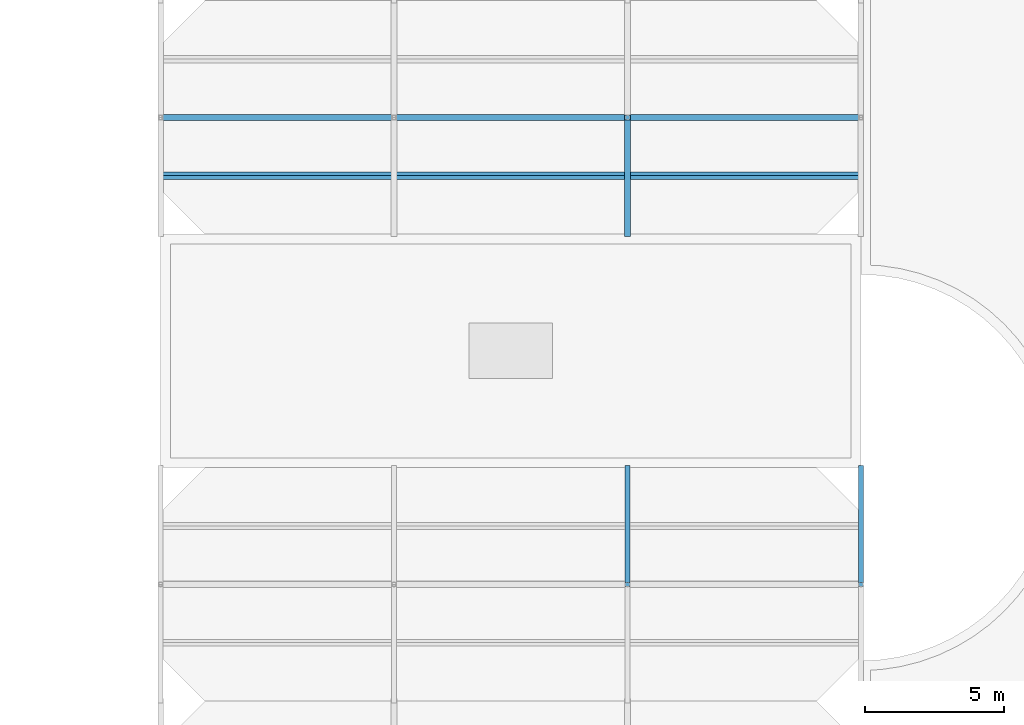
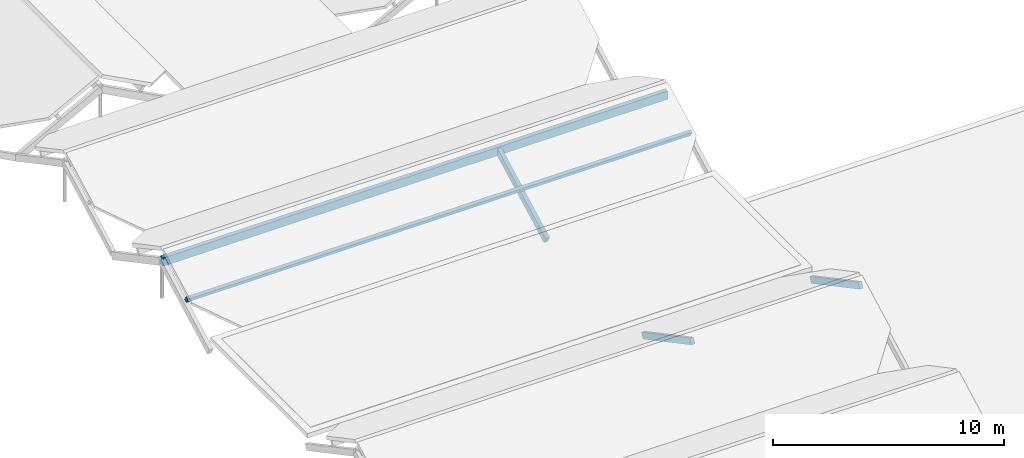
# One storey, part 54 of 82: 4 members, 1 beam.
"""IFC4 building model written with IfcOpenShell, lengths in metres."""

from ifc_helpers import new_model, si_unit, direction, frame, origin, origin_2d, place, context, subcontext, project, spatial, rectangle, extrude, material, material_profile, profile_set, type_object, element, save


model = new_model("IFC4")

# Units and contexts
model_context = context("Model", 3, precision=1e-05, world=origin(), true_north=direction((0.0, 1.0)))
body_context = subcontext(model_context, "Body", "Model", "MODEL_VIEW")
ifc_project = project(units=[si_unit("LENGTHUNIT", "METRE"), si_unit("AREAUNIT", "SQUARE_METRE"), si_unit("VOLUMEUNIT", "CUBIC_METRE"), si_unit("PLANEANGLEUNIT", "RADIAN"), si_unit("MASSUNIT", "GRAM", prefix="KILO")], contexts=[model_context])

# Site, building, storey
site_placement = place(None, origin())
site = spatial("IfcSite", under=ifc_project, at=site_placement, CompositionType="ELEMENT")
building_placement = place(site_placement, origin())
building = spatial("IfcBuilding", under=site, at=building_placement, Name="Bramfleet General Hospital", CompositionType="ELEMENT")
storey_placement = place(building_placement, frame((0.0, 0.0, 34.199951171875)))
storey = spatial("IfcBuildingStorey", under=building, at=storey_placement, Name="Roof", CompositionType="ELEMENT", Elevation=34.199951171875)

# Beam
ifc_material = material(Name="Structural timber GL28h", Category="wood")
ifc_material_profile_1 = material_profile(ifc_material, rectangle(XDim=0.219970703125, YDim=0.43994140625, at=origin_2d()), Name="GL28h 440x220")
ifc_profile_set_1 = profile_set([ifc_material_profile_1], Name="Structural timber GL28h")
beam_type = type_object("IfcBeamType", Name="BM-GL440", PredefinedType="BEAM", material=ifc_profile_set_1)
beam_placement = place(storey_placement, frame((92.39990234375, 79.800048828125, 1.476806640625), z_axis=(1.0, 0.0, 0.0), x_axis=(0.0, 1.0, 0.0)))
element("IfcBeam", 1, at=beam_placement, inside=storey, type_object=beam_type, Name="Patient House PH-13 Glulam Ridge Beam", PredefinedType="BEAM", context=body_context, shape_type="SweptSolid", body=[
    extrude(rectangle(XDim=0.219970703125, YDim=0.43994140625, at=origin_2d()), origin(), (0.0, 0.0, 1.0), 25.2001953125),
])

# Members
ifc_material_profile_2 = material_profile(ifc_material, rectangle(XDim=0.159912109375, YDim=0.280029296875, at=origin_2d()), Name="GL28h 280x160")
ifc_profile_set_2 = profile_set([ifc_material_profile_2], Name="Structural timber GL28h")
member_type_1 = type_object("IfcMemberType", Name="MEM-PR-GL280", PredefinedType="PURLIN", material=ifc_profile_set_2)
member_1_placement = place(storey_placement, frame((92.39990234375, 77.699951171875, 0.71533203125), z_axis=(1.0, 0.0, 0.0), x_axis=(0.0, 0.882947592859, 0.469471562786)))
element("IfcMember", 2, at=member_1_placement, inside=storey, type_object=member_type_1, Name="Patient House PH-13 South Glulam Purlin", PredefinedType="PURLIN", context=body_context, shape_type="SweptSolid", body=[
    extrude(rectangle(XDim=0.159912109375, YDim=0.280029296875, at=origin_2d()), origin(), (0.0, 0.0, 1.0), 25.2001953125),
])
ifc_material_profile_3 = material_profile(ifc_material, rectangle(XDim=0.179931640625, YDim=0.320068359375, at=origin_2d()), Name="GL28h 320x180")
ifc_profile_set_3 = profile_set([ifc_material_profile_3], Name="Structural timber GL28h")
member_type_2 = type_object("IfcMemberType", Name="MEM-RF-GL320", PredefinedType="RAFTER", material=ifc_profile_set_3)
for number, where, z_axis, x_axis, name in (
    (3, (109.199951171875, 63.0, 1.561279296875), (0.0, 0.882947536541, -0.469471668705), (-1.0, 0.0, 0.0), "Patient House PH-12 North Glulam Rafter 2"),
    (4, (117.60009765625, 63.0, 1.561279296875), (0.0, 0.882947536541, -0.469471668705), (-1.0, 0.0, 0.0), "Patient House PH-12 North Glulam Rafter 3"),
):
    element("IfcMember", number, at=place(storey_placement, frame(where, z_axis=z_axis, x_axis=x_axis)), inside=storey, type_object=member_type_2, Name=name, PredefinedType="RAFTER", context=body_context, shape_type="SweptSolid", body=[
        extrude(rectangle(XDim=0.179931640625, YDim=0.320068359375, at=origin_2d()), origin(), (0.0, 0.0, 1.0), 4.7568359375),
    ])
ifc_material_profile_4 = material_profile(ifc_material, rectangle(XDim=0.199951171875, YDim=0.360107421875, at=origin_2d()), Name="GL28h 360x200")
ifc_profile_set_4 = profile_set([ifc_material_profile_4], Name="Structural timber GL28h")
member_type_3 = type_object("IfcMemberType", Name="MEM-RF-GL360", PredefinedType="RAFTER", material=ifc_profile_set_4)
member_2_placement = place(storey_placement, frame((109.199951171875, 75.60009765625, -0.75634765625), z_axis=(0.0, 0.882947536541, 0.469471668705), x_axis=(-1.0, 0.0, 0.0)))
element("IfcMember", 5, at=member_2_placement, inside=storey, type_object=member_type_3, Name="Patient House PH-13 South Glulam Rafter 2", PredefinedType="RAFTER", context=body_context, shape_type="SweptSolid", body=[
    extrude(rectangle(XDim=0.199951171875, YDim=0.360107421875, at=origin_2d()), origin(), (0.0, 0.0, 1.0), 4.7568359375),
])

save(model, "model.ifc")
